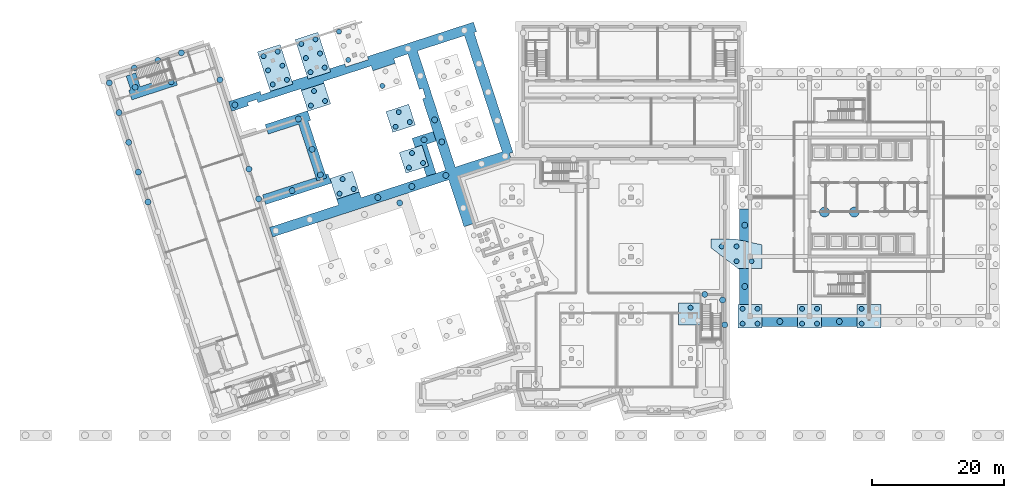
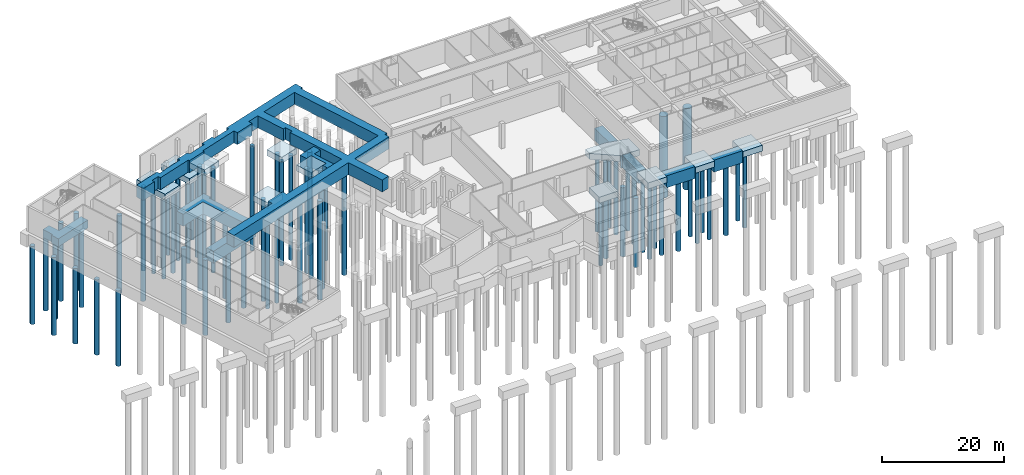
# One storey, part 3 of 17: 76 piles, 20 footings.
"""IFC4 building model written with IfcOpenShell, lengths in metres."""

import ifcopenshell
import ifcopenshell.guid

model = None  # the IFC model being written
_history = None  # IfcOwnerHistory: only IFC2X3 demands one
_inside = {}  # id of a spatial element -> (the spatial element, [elements in it])
_under = {}  # id of a project, library or spatial element -> (it, [spatial elements below it])
_declared = {}  # id of a project -> (the project, [libraries it declares])
_typed = {}  # id of a type object -> (the type object, [elements of that type])
_made_of = {}  # id of a material, layer set ... -> (it, [elements and type objects made of it])


def new_model(schema):
    """Start an empty IFC model of exactly this schema.

    Asked for "IFC4X3", IfcOpenShell would pick the latest addendum, in which some entities
    have other attributes; the version numbers below select the first issue.
    IFC2X3 requires an IfcOwnerHistory on every rooted entity: one is made here for all.
    """
    global model, _history
    if schema == "IFC4X3":
        model = ifcopenshell.file(schema_version=(4, 3, 0, 0))
    else:
        model = ifcopenshell.file(schema=schema)
    _inside.clear()
    _under.clear()
    _declared.clear()
    _typed.clear()
    _made_of.clear()
    _history = None
    if model.schema == "IFC2X3":
        org = make("IfcOrganization", Name="unknown")
        user = make(
            "IfcPersonAndOrganization",
            ThePerson=make("IfcPerson", FamilyName="unknown"),
            TheOrganization=org,
        )
        app = make(
            "IfcApplication",
            ApplicationDeveloper=org,
            Version="unknown",
            ApplicationFullName="unknown",
            ApplicationIdentifier="unknown",
        )
        _history = make(
            "IfcOwnerHistory",
            OwningUser=user,
            OwningApplication=app,
            ChangeAction="ADDED",
            CreationDate=0,
        )
    return model


def make(cls, **values):
    """One entity of the class cls with the attributes given. An attribute that is None is left unset."""
    return model.create_entity(
        cls, **{name: value for name, value in values.items() if value is not None}
    )


def rooted(cls, **values):
    """An entity with a GlobalId (a new one), such as an element, a storey or a relation."""
    return make(cls, GlobalId=ifcopenshell.guid.new(), OwnerHistory=_history, **values)


def si_unit(unit_type, name, prefix=None):
    """IfcSIUnit, for example si_unit("LENGTHUNIT", "METRE", prefix="MILLI")."""
    return make("IfcSIUnit", UnitType=unit_type, Prefix=prefix, Name=name)


def assignment(units):
    """IfcUnitAssignment: the units of a project."""
    return None if units is None else make("IfcUnitAssignment", Units=units)


def point(xyz):
    """IfcCartesianPoint."""
    return None if xyz is None else make("IfcCartesianPoint", Coordinates=xyz)


def direction(xyz):
    """IfcDirection."""
    return None if xyz is None else make("IfcDirection", DirectionRatios=xyz)


def frame(location, z_axis=None, x_axis=None):
    """IfcAxis2Placement3D, a coordinate frame: its origin and axes. An axis left out is left unset."""
    return make(
        "IfcAxis2Placement3D",
        Location=point(location),
        Axis=direction(z_axis),
        RefDirection=direction(x_axis),
    )


def frame_2d(location, x_axis=None):
    """IfcAxis2Placement2D, a coordinate frame in the plane: its origin and x axis."""
    return make(
        "IfcAxis2Placement2D", Location=point(location), RefDirection=direction(x_axis)
    )


def origin():
    """The frame at (0, 0, 0) with its axes left unset."""
    return frame((0.0, 0.0, 0.0))


def origin_2d():
    """The frame at (0, 0) in the plane with its x axis left unset."""
    return frame_2d((0.0, 0.0))


def place(relative_to, where):
    """IfcLocalPlacement: puts the frame where relative to a parent placement (None: the world)."""
    return make(
        "IfcLocalPlacement", PlacementRelTo=relative_to, RelativePlacement=where
    )


def context(
    kind, dimensions, precision=None, world=None, true_north=None, identifier=None
):
    """IfcGeometricRepresentationContext, for example the 3D "Model" context."""
    return make(
        "IfcGeometricRepresentationContext",
        ContextIdentifier=identifier,
        ContextType=kind,
        CoordinateSpaceDimension=dimensions,
        Precision=precision,
        WorldCoordinateSystem=world,
        TrueNorth=true_north,
    )


def subcontext(parent, identifier, kind, view, scale=None):
    """IfcGeometricRepresentationSubContext, for example "Body" below "Model"."""
    return make(
        "IfcGeometricRepresentationSubContext",
        ContextIdentifier=identifier,
        ContextType=kind,
        ParentContext=parent,
        TargetScale=scale,
        TargetView=view,
    )


def project(units=None, contexts=None):
    """IfcProject with its units and contexts."""
    return rooted(
        "IfcProject",
        Name="project",
        RepresentationContexts=contexts,
        UnitsInContext=assignment(units),
    )


def spatial(cls, under=None, at=None, **own):
    """A site, building, storey or space (cls), placed at a placement, below another one or the project."""
    s = rooted(cls, ObjectPlacement=at, **own)
    if under is not None:
        _under.setdefault(under.id(), (under, []))[1].append(s)
    return s


def polyline(points):
    """IfcPolyline through the points."""
    return make("IfcPolyline", Points=[point(p) for p in points])


def profile(cls, at=None, kind="AREA", **sizes):
    """A parametric profile (cls). Its sizes go by their IFC names, for example OverallWidth=200.0."""
    return make(cls, ProfileType=kind, Position=at, **sizes)


def rectangle(**sizes):
    """IfcRectangleProfileDef."""
    return profile("IfcRectangleProfileDef", **sizes)


def circle(**sizes):
    """IfcCircleProfileDef."""
    return profile("IfcCircleProfileDef", **sizes)


def outline(outer, holes=None, kind="AREA"):
    """IfcArbitraryClosedProfileDef: a profile drawn as a closed curve; with holes, ...WithVoids."""
    if holes is None:
        return make("IfcArbitraryClosedProfileDef", ProfileType=kind, OuterCurve=outer)
    return make(
        "IfcArbitraryProfileDefWithVoids",
        ProfileType=kind,
        OuterCurve=outer,
        InnerCurves=holes,
    )


def extrude(swept, where, along, depth):
    """IfcExtrudedAreaSolid: the profile swept, set in the frame where, extruded along a direction by depth."""
    return make(
        "IfcExtrudedAreaSolid",
        SweptArea=swept,
        Position=where,
        ExtrudedDirection=direction(along),
        Depth=depth,
    )


def shape(context_of_items, identifier, shape_type, items):
    """IfcShapeRepresentation: the items that make up one representation, for example the "Body"."""
    return make(
        "IfcShapeRepresentation",
        ContextOfItems=context_of_items,
        RepresentationIdentifier=identifier,
        RepresentationType=shape_type,
        Items=items,
    )


def material(Name=None, Category=None):
    """IfcMaterial."""
    return make("IfcMaterial", Name=Name, Category=Category)


def layer(
    of_material, thickness, ventilated=None, Name=None, Category=None, Priority=None
):
    """IfcMaterialLayer: one layer of a wall or slab, of a material (None: an air gap)."""
    return make(
        "IfcMaterialLayer",
        Material=of_material,
        LayerThickness=thickness,
        IsVentilated=ventilated,
        Name=Name,
        Category=Category,
        Priority=Priority,
    )


def layer_set(layers, Name=None):
    """IfcMaterialLayerSet."""
    return make("IfcMaterialLayerSet", MaterialLayers=layers, LayerSetName=Name)


def material_profile(
    of_material, cross_section, Name=None, Category=None, Priority=None
):
    """IfcMaterialProfile: a cross section and its material."""
    return make(
        "IfcMaterialProfile",
        Name=Name,
        Material=of_material,
        Profile=cross_section,
        Priority=Priority,
        Category=Category,
    )


def profile_set(profiles, Name=None, composite=None):
    """IfcMaterialProfileSet."""
    return make(
        "IfcMaterialProfileSet",
        Name=Name,
        MaterialProfiles=profiles,
        CompositeProfile=composite,
    )


def made_of(thing, what):
    """Note that an element or type object is made of a material, layer set ...; save() writes the relation."""
    if what is not None:
        _made_of.setdefault(what.id(), (what, []))[1].append(thing)
    return thing


def type_object(cls, material=None, **own):
    """A type object (cls), such as IfcWallType, which elements share."""
    return made_of(rooted(cls, **own), material)


def element(
    cls,
    number,
    at=None,
    inside=None,
    cuts=None,
    type_object=None,
    material=None,
    context=None,
    identifier="Body",
    shape_type=None,
    held_by="IfcProductDefinitionShape",
    body=None,
    shapes=None,
    **own,
):
    """One element of the class cls, such as IfcWall. Its Tag is "e" and its number.

    at: its placement. inside: the storey or other place that contains it. cuts: it is an
    opening in that element (IfcRelVoidsElement). A single representation is given by context,
    identifier, shape_type and body (its items); several are given by shapes. held_by: the class
    of the entity that holds the representations. save() writes the other relations.
    """
    e = rooted(cls, Tag="e%d" % number, ObjectPlacement=at, **own)
    if body is not None:
        shapes = [shape(context, identifier, shape_type, body)]
    if shapes is not None:
        e.Representation = make(held_by, Representations=shapes)
    if inside is not None:
        _inside.setdefault(inside.id(), (inside, []))[1].append(e)
    if cuts is not None:
        rooted(
            "IfcRelVoidsElement", RelatingBuildingElement=cuts, RelatedOpeningElement=e
        )
    if type_object is not None:
        _typed.setdefault(type_object.id(), (type_object, []))[1].append(e)
    return made_of(e, material)


def aggregate(whole, parts):
    """IfcRelAggregates: a whole, such as a stair, and the parts it consists of."""
    return rooted("IfcRelAggregates", RelatingObject=whole, RelatedObjects=parts)


def save(model, path):
    """Write the relations noted so far, then the file.

    IfcRelAggregates (storeys below a building ...), IfcRelContainedInSpatialStructure (elements
    in a storey), IfcRelDefinesByType, IfcRelAssociatesMaterial and IfcRelDeclares: one each for
    every whole, place, type object, material and project.
    """
    for whole, parts in _under.values():
        aggregate(whole, parts)
    for where, things in _inside.values():
        rooted(
            "IfcRelContainedInSpatialStructure",
            RelatedElements=things,
            RelatingStructure=where,
        )
    for kind, things in _typed.values():
        rooted("IfcRelDefinesByType", RelatedObjects=things, RelatingType=kind)
    for what, things in _made_of.values():
        rooted("IfcRelAssociatesMaterial", RelatedObjects=things, RelatingMaterial=what)
    for by, libraries in _declared.values():
        rooted("IfcRelDeclares", RelatingContext=by, RelatedDefinitions=libraries)
    model.write(path)


model = new_model("IFC4")

# Units and contexts
model_context = context("Model", 3, precision=1e-05, world=origin(), true_north=direction((0.0, 1.0)))
body_context = subcontext(model_context, "Body", "Model", "MODEL_VIEW")
ifc_project = project(units=[si_unit("LENGTHUNIT", "METRE"), si_unit("AREAUNIT", "SQUARE_METRE"), si_unit("VOLUMEUNIT", "CUBIC_METRE"), si_unit("PLANEANGLEUNIT", "RADIAN"), si_unit("MASSUNIT", "GRAM", prefix="KILO")], contexts=[model_context])

# Site, building, storey
site_placement = place(None, origin())
site = spatial("IfcSite", under=ifc_project, at=site_placement, CompositionType="ELEMENT")
building_placement = place(site_placement, origin())
building = spatial("IfcBuilding", under=site, at=building_placement, Name="Tuart Plaza Theatre", CompositionType="ELEMENT")
storey_placement = place(building_placement, frame((0.0, 0.0, -10.0)))
storey = spatial("IfcBuildingStorey", under=building, at=storey_placement, Name="B2", CompositionType="ELEMENT", Elevation=-10.0)

# Footings
ifc_material_1 = material(Name="Concrete N40 (40 MPa)", Category="concrete")
footing_type_1 = type_object("IfcFootingType", Name="CAP-1P-D900-5400X1520X2400", PredefinedType="PILE_CAP", material=ifc_material_1)
for number, where, z_axis, x_axis, name in (
    (1, (118.5, 55.199951171875, -3.199951171875), (0.0, 0.0, 1.0), (1.0, 0.0, 0.0), "D-CAP-118"),
    (2, (127.5, 55.199951171875, -3.199951171875), (0.0, 0.0, 1.0), (1.0, 0.0, 0.0), "D-CAP-120"),
):
    element("IfcFooting", number, at=place(storey_placement, frame(where, z_axis=z_axis, x_axis=x_axis)), inside=storey, type_object=footing_type_1, Name=name, PredefinedType="PILE_CAP", context=body_context, shape_type="SweptSolid", body=[
        extrude(rectangle(XDim=5.39990234375, YDim=1.52001953125, at=origin_2d()), origin(), (0.0, 0.0, 1.0), 2.39990234375),
    ])
ifc_material_2 = material(Name="Concrete N40 (40 MPa)", Category="concrete")
footing_type_2 = type_object("IfcFootingType", Name="CAP-3P-D750-3600X3299X1200", PredefinedType="PILE_CAP", material=ifc_material_2)
for number, where, z_axis, x_axis, name in (
    (3, (48.357666015625, 89.12353515625, 3.4501953125), (0.0, 0.0, 1.0), (0.951056516295, 0.309016994375, 0.0), "D-CAP-013"),
    (4, (52.683837890625, 75.808837890625, 3.4501953125), (0.0, 0.0, 1.0), (0.951056516295, 0.309016994375, 0.0), "D-CAP-017"),
    (5, (61.172607421875, 85.92724609375, 3.4501953125), (0.0, 0.0, 1.0), (0.951056516295, 0.309016994375, 0.0), "D-CAP-024"),
    (6, (63.18115234375, 79.745361328125, 3.4501953125), (0.0, 0.0, 1.0), (0.951056516295, 0.309016994375, 0.0), "D-CAP-026"),
    (7, (105.0, 56.32470703125, -2.0), (0.0, 0.0, 1.0), (1.0, 0.0, 0.0), "D-CAP-061"),
):
    element("IfcFooting", number, at=place(storey_placement, frame(where, z_axis=z_axis, x_axis=x_axis)), inside=storey, type_object=footing_type_2, Name=name, PredefinedType="PILE_CAP", context=body_context, shape_type="SweptSolid", body=[
        extrude(rectangle(XDim=3.60009765625, YDim=3.299072265625, at=origin_2d()), origin(), (0.0, 0.0, 1.0), 1.199951171875),
    ])
ifc_material_3 = material(Name="Concrete N40 (40 MPa)", Category="concrete")
footing_type_3 = type_object("IfcFootingType", Name="CAP-4P-D750-3600X3600X1200", PredefinedType="PILE_CAP", material=ifc_material_3)
for number, where, z_axis, x_axis, name in (
    (8, (114.0, 56.0, -2.0), (0.0, 0.0, 1.0), (0.0, 1.0, 0.0), "D-CAP-066"),
    (9, (123.0, 56.0, -2.0), (0.0, 0.0, 1.0), (0.0, 1.0, 0.0), "D-CAP-072"),
    (10, (132.0, 56.0, -2.0), (0.0, 0.0, 1.0), (1.0, 0.0, 0.0), "D-CAP-078"),
):
    element("IfcFooting", number, at=place(storey_placement, frame(where, z_axis=z_axis, x_axis=x_axis)), inside=storey, type_object=footing_type_3, Name=name, PredefinedType="PILE_CAP", context=body_context, shape_type="SweptSolid", body=[
        extrude(rectangle(XDim=3.60009765625, YDim=3.60009765625, at=origin_2d()), origin(), (0.0, 0.0, 1.0), 1.199951171875),
    ])
ifc_material_4 = material(Name="Concrete N40 (40 MPa)", Category="concrete")
footing_type_4 = type_object("IfcFootingType", Name="CAP-6P-D750-6299X3600X1200", PredefinedType="PILE_CAP", material=ifc_material_4)
for number, where, z_axis, x_axis, name in (
    (11, (42.19287109375, 93.534423828125, -1.2001953125), (0.0, 0.0, 1.0), (-0.309016994375, 0.951056516295, 0.0), "D-CAP-011"),
    (12, (47.899169921875, 95.388671875, -1.2001953125), (0.0, 0.0, 1.0), (-0.309016994375, 0.951056516295, 0.0), "D-CAP-012"),
):
    element("IfcFooting", number, at=place(storey_placement, frame(where, z_axis=z_axis, x_axis=x_axis)), inside=storey, type_object=footing_type_4, Name=name, PredefinedType="PILE_CAP", context=body_context, shape_type="SweptSolid", body=[
        extrude(rectangle(XDim=6.299072265625, YDim=3.60009765625, at=origin_2d()), origin(), (0.0, 0.0, 1.0), 1.199951171875),
    ])
ifc_material_5 = material(Name="Concrete N40 (40 MPa)", Category="concrete")
ifc_layer_1 = layer(ifc_material_5, 1.199951171875)
ifc_layer_set_1 = layer_set([ifc_layer_1], Name="CAP-STRIP-D750-T1200")
footing_type_5 = type_object("IfcFootingType", Name="CAP-STRIP-D750-T1200", PredefinedType="PILE_CAP", material=ifc_layer_set_1)
footing_1_placement = place(storey_placement, frame((0.0, 0.0, -2.0)))
element("IfcFooting", 13, at=footing_1_placement, inside=storey, type_object=footing_type_5, Name="D-CAP-063", PredefinedType="PILE_CAP", context=body_context, shape_type="SweptSolid", body=[
    extrude(outline(polyline([(112.199951171875, 63.199951171875), (108.110107421875, 66.324951171875), (108.110107421875, 67.675048828125), (111.7099609375, 67.675048828125), (115.800048828125, 66.800048828125), (115.800048828125, 63.199951171875), (112.199951171875, 63.199951171875)])), origin(), (0.0, 0.0, 1.0), 1.199951171875),
])
ifc_material_6 = material(Name="Concrete N40 (40 MPa)", Category="concrete")
ifc_layer_2 = layer(ifc_material_6, 1.60009765625)
ifc_layer_set_2 = layer_set([ifc_layer_2], Name="CAP-STRIP-D900-T1600")
footing_type_6 = type_object("IfcFootingType", Name="CAP-STRIP-D900-T1600", PredefinedType="PILE_CAP", material=ifc_layer_set_2)
footing_2_placement = place(storey_placement, frame((0.0, 0.0, -2.39990234375)))
element("IfcFooting", 14, at=footing_2_placement, inside=storey, type_object=footing_type_6, Name="D-CAP-092", PredefinedType="PILE_CAP", context=body_context, shape_type="SweptSolid", body=[
    extrude(outline(polyline([(20.04150390625, 90.159423828125), (20.511474609375, 88.7138671875), (27.416015625, 90.957275390625), (26.9462890625, 92.40283203125), (21.772705078125, 90.721923828125), (21.098876953125, 92.795166015625), (19.6533203125, 92.325439453125), (20.326904296875, 90.252197265625), (20.04150390625, 90.159423828125)])), origin(), (0.0, 0.0, 1.0), 1.599853515625),
])
ifc_material_7 = material(Name="Concrete N40 (40 MPa)", Category="concrete")
ifc_layer_3 = layer(ifc_material_7, 2.39990234375)
ifc_layer_set_3 = layer_set([ifc_layer_3], Name="CAP-STRIP-D900-T2400")
footing_type_7 = type_object("IfcFootingType", Name="CAP-STRIP-D900-T2400", PredefinedType="PILE_CAP", material=ifc_layer_set_3)
footing_3_placement = place(storey_placement, frame((0.0, 0.0, -3.199951171875)))
element("IfcFooting", 15, at=footing_3_placement, inside=storey, type_object=footing_type_7, Name="D-CAP-099", PredefinedType="PILE_CAP", context=body_context, shape_type="SweptSolid", body=[
    extrude(outline(polyline([(50.689208984375, 76.123046875), (50.462158203125, 76.8212890625), (50.42431640625, 76.80908203125), (50.181396484375, 77.556396484375), (49.801025390625, 77.4326171875), (49.97412109375, 76.900146484375), (48.5283203125, 76.430419921875), (48.355224609375, 76.962890625), (40.290283203125, 74.342529296875), (40.760009765625, 72.89697265625), (50.689208984375, 76.123046875)])), origin(), (0.0, 0.0, 1.0), 2.39990234375),
])
footing_4_placement = place(storey_placement, frame((0.0, 0.0, -2.39990234375)))
element("IfcFooting", 16, at=footing_4_placement, inside=storey, type_object=footing_type_7, Name="D-CAP-100", PredefinedType="PILE_CAP", context=body_context, shape_type="SweptSolid", body=[
    extrude(outline(polyline([(45.73486328125, 85.02783203125), (48.5283203125, 76.430419921875), (49.97412109375, 76.900146484375), (47.180419921875, 85.497802734375), (47.560791015625, 85.621337890625), (47.09130859375, 87.06689453125), (40.671630859375, 84.98095703125), (41.141357421875, 83.535400390625), (45.73486328125, 85.02783203125)])), origin(), (0.0, 0.0, 1.0), 2.39990234375),
])
footing_5_placement = place(storey_placement, frame((0.0, 0.0, 2.60009765625)))
element("IfcFooting", 17, at=footing_5_placement, inside=storey, type_object=footing_type_7, Name="D-CAP-102", PredefinedType="PILE_CAP", context=body_context, shape_type="SweptSolid", body=[
    extrude(outline(polyline([(41.4697265625, 89.93505859375), (40.081298828125, 89.48388671875), (39.916015625, 89.992919921875), (35.1416015625, 88.44140625), (35.611328125, 86.995849609375), (38.150634765625, 87.821044921875), (37.991455078125, 88.310791015625), (39.43701171875, 88.780517578125), (39.59619140625, 88.290771484375), (46.053955078125, 90.388916015625), (46.135986328125, 90.13623046875), (49.559814453125, 91.24853515625), (49.477783203125, 91.50146484375), (56.705810546875, 93.849853515625), (56.9423828125, 93.12158203125), (60.3662109375, 94.234130859375), (60.12939453125, 94.96240234375), (62.260009765625, 95.654541015625), (63.99951171875, 90.300048828125), (64.489501953125, 90.459228515625), (64.958984375, 89.013671875), (64.46923828125, 88.8544921875), (67.970458984375, 78.0791015625), (55.188232421875, 73.92578125), (54.905517578125, 74.79638671875), (51.481689453125, 73.683837890625), (51.764404296875, 72.8134765625), (41.32666015625, 69.421875), (41.79638671875, 67.976318359375), (68.440185546875, 76.63330078125), (70.747314453125, 69.533203125), (72.19287109375, 70.002685546875), (69.8857421875, 77.10302734375), (77.91259765625, 79.711181640625), (77.6162109375, 80.624267578125), (78.148681640625, 80.79736328125), (72.264892578125, 98.905517578125), (72.6455078125, 99.029052734375), (72.17578125, 100.474609375), (56.140869140625, 95.2646484375), (56.290771484375, 94.8037109375), (52.866943359375, 93.691162109375), (52.717041015625, 94.152099609375), (50.4345703125, 93.410400390625), (50.584228515625, 92.949462890625), (47.160400390625, 91.8369140625), (47.0107421875, 92.298095703125), (44.728271484375, 91.556396484375), (44.8779296875, 91.095458984375), (41.4541015625, 89.98291015625), (41.4697265625, 89.93505859375)]), holes=[polyline([(69.416015625, 78.548583984375), (76.530029296875, 80.860107421875), (70.8193359375, 98.435791015625), (63.70556640625, 96.124267578125), (69.416015625, 78.548583984375)])]), origin(), (0.0, 0.0, 1.0), 2.39990234375),
])
footing_6_placement = place(storey_placement, frame((0.0, 0.0, 2.25)))
element("IfcFooting", 18, at=footing_6_placement, inside=storey, type_object=footing_type_7, Name="D-CAP-104", PredefinedType="PILE_CAP", context=body_context, shape_type="SweptSolid", body=[
    extrude(outline(polyline([(64.38330078125, 81.870361328125), (65.40283203125, 78.73291015625), (64.63232421875, 78.482421875), (65.06982421875, 77.136474609375), (66.515380859375, 77.606201171875), (65.084716796875, 82.009521484375), (66.539794921875, 82.482421875), (66.070068359375, 83.927978515625), (62.884033203125, 82.892822265625), (63.32763671875, 81.52734375), (64.38330078125, 81.870361328125)])), origin(), (0.0, 0.0, 1.0), 2.39990234375),
])
footing_7_placement = place(storey_placement, frame((0.0, 0.0, -3.199951171875)))
element("IfcFooting", 19, at=footing_7_placement, inside=storey, type_object=footing_type_7, Name="D-CAP-116", PredefinedType="PILE_CAP", context=body_context, shape_type="SweptSolid", body=[
    extrude(outline(polyline([(112.43994140625, 63.0166015625), (112.43994140625, 57.800048828125), (113.9599609375, 57.800048828125), (113.9599609375, 63.199951171875), (112.199951171875, 63.199951171875), (112.43994140625, 63.0166015625)])), origin(), (0.0, 0.0, 1.0), 2.39990234375),
])
footing_8_placement = place(storey_placement, frame((0.0, 0.0, -3.199951171875)))
element("IfcFooting", 20, at=footing_8_placement, inside=storey, type_object=footing_type_7, Name="D-CAP-117", PredefinedType="PILE_CAP", context=body_context, shape_type="SweptSolid", body=[
    extrude(outline(polyline([(113.9599609375, 72.199951171875), (112.43994140625, 72.199951171875), (112.43994140625, 67.518798828125), (113.9599609375, 67.193603515625), (113.9599609375, 72.199951171875)])), origin(), (0.0, 0.0, 1.0), 2.39990234375),
])

# Piles
ifc_material_8 = material(Name="Concrete N40 (40 MPa)", Category="concrete")
ifc_material_profile_1 = material_profile(ifc_material_8, circle(Radius=0.75, at=origin_2d()), Name="PILE-BORED-D1500")
ifc_profile_set_1 = profile_set([ifc_material_profile_1], Name="Concrete N40 (40 MPa)")
pile_type_1 = type_object("IfcPileType", Name="PILE-BORED-D1500", PredefinedType="BORED", material=ifc_profile_set_1)
for number, where, z_axis, x_axis, name in (
    (21, (129.75, 71.75, -2.199951171875), (0.0, 0.0, -1.0), (1.0, 0.0, 0.0), "D-PIL-C-raft-03"),
    (22, (125.25, 71.75, -2.199951171875), (0.0, 0.0, -1.0), (1.0, 0.0, 0.0), "D-PIL-C-raft-04"),
):
    element("IfcPile", number, at=place(storey_placement, frame(where, z_axis=z_axis, x_axis=x_axis)), inside=storey, type_object=pile_type_1, Name=name, PredefinedType="BORED", context=body_context, shape_type="SweptSolid", body=[
        extrude(circle(Radius=0.75, at=origin_2d()), origin(), (0.0, 0.0, 1.0), 16.300048828125),
    ])
ifc_material_9 = material(Name="Concrete N40 (40 MPa)", Category="concrete")
ifc_material_profile_2 = material_profile(ifc_material_9, circle(Radius=0.375, at=origin_2d()), Name="PILE-BORED-D750")
ifc_profile_set_2 = profile_set([ifc_material_profile_2], Name="Concrete N40 (40 MPa)")
pile_type_2 = type_object("IfcPileType", Name="PILE-BORED-D750", PredefinedType="BORED", material=ifc_profile_set_2)
for number, where, z_axis, x_axis, name in (
    (23, (41.818603515625, 91.049560546875, -1.199951171875), (0.0, 0.0, -1.0), (1.0, 0.0, 0.0), "D-PIL-011-01"),
    (24, (41.1240234375, 93.187255859375, -1.199951171875), (0.0, 0.0, -1.0), (1.0, 0.0, 0.0), "D-PIL-011-02"),
):
    element("IfcPile", number, at=place(storey_placement, frame(where, z_axis=z_axis, x_axis=x_axis)), inside=storey, type_object=pile_type_2, Name=name, PredefinedType="BORED", context=body_context, shape_type="SweptSolid", body=[
        extrude(circle(Radius=0.375, at=origin_2d()), origin(), (0.0, 0.0, 1.0), 16.300048828125),
    ])
pile_1_placement = place(storey_placement, frame((40.429443359375, 95.324951171875, -1.199951171875), z_axis=(0.0, 0.0, -1.0), x_axis=(1.0, 0.0, 0.0)))
element("IfcPile", 25, at=pile_1_placement, inside=storey, type_object=pile_type_2, Name="D-PIL-011-03", PredefinedType="BORED", context=body_context, shape_type="SweptSolid", body=[
    extrude(circle(Radius=0.375, at=origin_2d()), origin(), (0.0, 0.0, 1.0), 16.800048828125),
])
for number, where, z_axis, x_axis, name in (
    (26, (43.956298828125, 91.744140625, -1.199951171875), (0.0, 0.0, -1.0), (1.0, 0.0, 0.0), "D-PIL-011-04"),
    (27, (43.26171875, 93.8818359375, -1.199951171875), (0.0, 0.0, -1.0), (1.0, 0.0, 0.0), "D-PIL-011-05"),
):
    element("IfcPile", number, at=place(storey_placement, frame(where, z_axis=z_axis, x_axis=x_axis)), inside=storey, type_object=pile_type_2, Name=name, PredefinedType="BORED", context=body_context, shape_type="SweptSolid", body=[
        extrude(circle(Radius=0.375, at=origin_2d()), origin(), (0.0, 0.0, 1.0), 16.300048828125),
    ])
pile_2_placement = place(storey_placement, frame((42.567138671875, 96.01953125, -1.199951171875), z_axis=(0.0, 0.0, -1.0), x_axis=(1.0, 0.0, 0.0)))
element("IfcPile", 28, at=pile_2_placement, inside=storey, type_object=pile_type_2, Name="D-PIL-011-06", PredefinedType="BORED", context=body_context, shape_type="SweptSolid", body=[
    extrude(circle(Radius=0.375, at=origin_2d()), origin(), (0.0, 0.0, 1.0), 16.800048828125),
])
pile_3_placement = place(storey_placement, frame((47.52490234375, 92.903564453125, -1.199951171875), z_axis=(0.0, 0.0, -1.0), x_axis=(1.0, 0.0, 0.0)))
element("IfcPile", 29, at=pile_3_placement, inside=storey, type_object=pile_type_2, Name="D-PIL-012-01", PredefinedType="BORED", context=body_context, shape_type="SweptSolid", body=[
    extrude(circle(Radius=0.375, at=origin_2d()), origin(), (0.0, 0.0, 1.0), 16.300048828125),
])
for number, where, z_axis, x_axis, name in (
    (30, (46.830322265625, 95.041259765625, -1.199951171875), (0.0, 0.0, -1.0), (1.0, 0.0, 0.0), "D-PIL-012-02"),
    (31, (46.1357421875, 97.178955078125, -1.199951171875), (0.0, 0.0, -1.0), (1.0, 0.0, 0.0), "D-PIL-012-03"),
):
    element("IfcPile", number, at=place(storey_placement, frame(where, z_axis=z_axis, x_axis=x_axis)), inside=storey, type_object=pile_type_2, Name=name, PredefinedType="BORED", context=body_context, shape_type="SweptSolid", body=[
        extrude(circle(Radius=0.375, at=origin_2d()), origin(), (0.0, 0.0, 1.0), 16.800048828125),
    ])
pile_4_placement = place(storey_placement, frame((49.66259765625, 93.59814453125, -1.199951171875), z_axis=(0.0, 0.0, -1.0), x_axis=(1.0, 0.0, 0.0)))
element("IfcPile", 32, at=pile_4_placement, inside=storey, type_object=pile_type_2, Name="D-PIL-012-04", PredefinedType="BORED", context=body_context, shape_type="SweptSolid", body=[
    extrude(circle(Radius=0.375, at=origin_2d()), origin(), (0.0, 0.0, 1.0), 16.300048828125),
])
for number, where, z_axis, x_axis, name in (
    (33, (48.968017578125, 95.73583984375, -1.199951171875), (0.0, 0.0, -1.0), (1.0, 0.0, 0.0), "D-PIL-012-05"),
    (34, (48.2734375, 97.87353515625, -1.199951171875), (0.0, 0.0, -1.0), (1.0, 0.0, 0.0), "D-PIL-012-06"),
):
    element("IfcPile", number, at=place(storey_placement, frame(where, z_axis=z_axis, x_axis=x_axis)), inside=storey, type_object=pile_type_2, Name=name, PredefinedType="BORED", context=body_context, shape_type="SweptSolid", body=[
        extrude(circle(Radius=0.375, at=origin_2d()), origin(), (0.0, 0.0, 1.0), 16.800048828125),
    ])
for number, where, z_axis, x_axis, name in (
    (35, (47.588623046875, 87.849365234375, 3.449951171875), (0.0, 0.0, -1.0), (1.0, 0.0, 0.0), "D-PIL-013-01"),
    (36, (49.728515625, 88.544677734375, 3.449951171875), (0.0, 0.0, -1.0), (1.0, 0.0, 0.0), "D-PIL-013-02"),
    (37, (48.056396484375, 90.05029296875, 3.449951171875), (0.0, 0.0, -1.0), (1.0, 0.0, 0.0), "D-PIL-013-03"),
):
    element("IfcPile", number, at=place(storey_placement, frame(where, z_axis=z_axis, x_axis=x_axis)), inside=storey, type_object=pile_type_2, Name=name, PredefinedType="BORED", context=body_context, shape_type="SweptSolid", body=[
        extrude(circle(Radius=0.375, at=origin_2d()), origin(), (0.0, 0.0, 1.0), 20.949951171875),
    ])
for number, where, z_axis, x_axis, name in (
    (38, (51.9150390625, 74.53466796875, 3.449951171875), (0.0, 0.0, -1.0), (1.0, 0.0, 0.0), "D-PIL-017-01"),
    (39, (54.054931640625, 75.22998046875, 3.449951171875), (0.0, 0.0, -1.0), (1.0, 0.0, 0.0), "D-PIL-017-02"),
    (40, (52.3828125, 76.7353515625, 3.449951171875), (0.0, 0.0, -1.0), (1.0, 0.0, 0.0), "D-PIL-017-03"),
):
    element("IfcPile", number, at=place(storey_placement, frame(where, z_axis=z_axis, x_axis=x_axis)), inside=storey, type_object=pile_type_2, Name=name, PredefinedType="BORED", context=body_context, shape_type="SweptSolid", body=[
        extrude(circle(Radius=0.375, at=origin_2d()), origin(), (0.0, 0.0, 1.0), 20.449951171875),
    ])
for number, where, z_axis, x_axis, name in (
    (41, (53.231201171875, 94.7578125, -1.199951171875), (0.0, 0.0, -1.0), (1.0, 0.0, 0.0), "D-PIL-018-01"),
    (42, (51.842041015625, 99.033203125, -1.199951171875), (0.0, 0.0, -1.0), (1.0, 0.0, 0.0), "D-PIL-018-03"),
):
    element("IfcPile", number, at=place(storey_placement, frame(where, z_axis=z_axis, x_axis=x_axis)), inside=storey, type_object=pile_type_2, Name=name, PredefinedType="BORED", context=body_context, shape_type="SweptSolid", body=[
        extrude(circle(Radius=0.375, at=origin_2d()), origin(), (0.0, 0.0, 1.0), 16.800048828125),
    ])
for number, where, z_axis, x_axis, name in (
    (43, (58.39501953125, 90.8349609375, 3.449951171875), (0.0, 0.0, -1.0), (1.0, 0.0, 0.0), "D-PIL-021-01"),
    (44, (60.40380859375, 84.653076171875, 3.449951171875), (0.0, 0.0, -1.0), (1.0, 0.0, 0.0), "D-PIL-024-01"),
    (45, (62.543701171875, 85.348388671875, 3.449951171875), (0.0, 0.0, -1.0), (1.0, 0.0, 0.0), "D-PIL-024-02"),
    (46, (60.87158203125, 86.853759765625, 3.449951171875), (0.0, 0.0, -1.0), (1.0, 0.0, 0.0), "D-PIL-024-03"),
):
    element("IfcPile", number, at=place(storey_placement, frame(where, z_axis=z_axis, x_axis=x_axis)), inside=storey, type_object=pile_type_2, Name=name, PredefinedType="BORED", context=body_context, shape_type="SweptSolid", body=[
        extrude(circle(Radius=0.375, at=origin_2d()), origin(), (0.0, 0.0, 1.0), 20.949951171875),
    ])
pile_5_placement = place(storey_placement, frame((62.412353515625, 78.47119140625, 3.449951171875), z_axis=(0.0, 0.0, -1.0), x_axis=(1.0, 0.0, 0.0)))
element("IfcPile", 47, at=pile_5_placement, inside=storey, type_object=pile_type_2, Name="D-PIL-026-01", PredefinedType="BORED", context=body_context, shape_type="SweptSolid", body=[
    extrude(circle(Radius=0.375, at=origin_2d()), origin(), (0.0, 0.0, 1.0), 20.449951171875),
])
for number, where, z_axis, x_axis, name in (
    (48, (64.55224609375, 79.16650390625, 3.449951171875), (0.0, 0.0, -1.0), (1.0, 0.0, 0.0), "D-PIL-026-02"),
    (49, (62.880126953125, 80.672119140625, 3.449951171875), (0.0, 0.0, -1.0), (1.0, 0.0, 0.0), "D-PIL-026-03"),
):
    element("IfcPile", number, at=place(storey_placement, frame(where, z_axis=z_axis, x_axis=x_axis)), inside=storey, type_object=pile_type_2, Name=name, PredefinedType="BORED", context=body_context, shape_type="SweptSolid", body=[
        extrude(circle(Radius=0.375, at=origin_2d()), origin(), (0.0, 0.0, 1.0), 20.949951171875),
    ])
pile_6_placement = place(storey_placement, frame((105.0, 57.299072265625, -2.0), z_axis=(0.0, 0.0, -1.0), x_axis=(1.0, 0.0, 0.0)))
element("IfcPile", 50, at=pile_6_placement, inside=storey, type_object=pile_type_2, Name="D-PIL-061-03", PredefinedType="BORED", context=body_context, shape_type="SweptSolid", body=[
    extrude(circle(Radius=0.375, at=origin_2d()), origin(), (0.0, 0.0, 1.0), 14.5),
])
for number, where, z_axis, x_axis, name in (
    (51, (109.707275390625, 66.561279296875, -2.0), (0.0, 0.0, -1.0), (1.0, 0.0, 0.0), "D-PIL-063-01"),
    (52, (111.955078125, 64.313720703125, -2.0), (0.0, 0.0, -1.0), (1.0, 0.0, 0.0), "D-PIL-063-02"),
    (53, (111.955078125, 66.561279296875, -2.0), (0.0, 0.0, -1.0), (1.0, 0.0, 0.0), "D-PIL-063-03"),
    (54, (114.20263671875, 64.313720703125, -2.0), (0.0, 0.0, -1.0), (1.0, 0.0, 0.0), "D-PIL-063-04"),
):
    element("IfcPile", number, at=place(storey_placement, frame(where, z_axis=z_axis, x_axis=x_axis)), inside=storey, type_object=pile_type_2, Name=name, PredefinedType="BORED", context=body_context, shape_type="SweptSolid", body=[
        extrude(circle(Radius=0.375, at=origin_2d()), origin(), (0.0, 0.0, 1.0), 15.0),
    ])
for number, where, z_axis, x_axis, name in (
    (55, (112.875, 54.875, -2.0), (0.0, 0.0, -1.0), (1.0, 0.0, 0.0), "D-PIL-066-01"),
    (56, (112.875, 57.125, -2.0), (0.0, 0.0, -1.0), (1.0, 0.0, 0.0), "D-PIL-066-02"),
    (57, (115.125, 54.875, -2.0), (0.0, 0.0, -1.0), (1.0, 0.0, 0.0), "D-PIL-066-03"),
    (58, (115.125, 57.125, -2.0), (0.0, 0.0, -1.0), (1.0, 0.0, 0.0), "D-PIL-066-04"),
    (59, (121.875, 54.875, -2.0), (0.0, 0.0, -1.0), (1.0, 0.0, 0.0), "D-PIL-072-01"),
    (60, (121.875, 57.125, -2.0), (0.0, 0.0, -1.0), (1.0, 0.0, 0.0), "D-PIL-072-02"),
    (61, (124.125, 54.875, -2.0), (0.0, 0.0, -1.0), (1.0, 0.0, 0.0), "D-PIL-072-03"),
    (62, (124.125, 57.125, -2.0), (0.0, 0.0, -1.0), (1.0, 0.0, 0.0), "D-PIL-072-04"),
    (63, (130.875, 54.875, -2.0), (0.0, 0.0, -1.0), (1.0, 0.0, 0.0), "D-PIL-078-01"),
    (64, (130.875, 57.125, -2.0), (0.0, 0.0, -1.0), (1.0, 0.0, 0.0), "D-PIL-078-02"),
):
    element("IfcPile", number, at=place(storey_placement, frame(where, z_axis=z_axis, x_axis=x_axis)), inside=storey, type_object=pile_type_2, Name=name, PredefinedType="BORED", context=body_context, shape_type="SweptSolid", body=[
        extrude(circle(Radius=0.375, at=origin_2d()), origin(), (0.0, 0.0, 1.0), 14.5),
    ])
ifc_material_10 = material(Name="Concrete N40 (40 MPa)", Category="concrete")
ifc_material_profile_3 = material_profile(ifc_material_10, circle(Radius=0.449951171875, at=origin_2d()), Name="PILE-BORED-D900")
ifc_profile_set_3 = profile_set([ifc_material_profile_3], Name="Concrete N40 (40 MPa)")
pile_type_3 = type_object("IfcPileType", Name="PILE-BORED-D900", PredefinedType="BORED", material=ifc_profile_set_3)
for number, where, z_axis, x_axis, name in (
    (65, (21.006591796875, 90.6201171875, -2.39990234375), (0.0, 0.0, -1.0), (1.0, 0.0, 0.0), "D-PIL-092-01"),
    (66, (26.468017578125, 91.4482421875, -2.39990234375), (0.0, 0.0, -1.0), (1.0, 0.0, 0.0), "D-PIL-092-02"),
    (67, (17.106201171875, 91.298095703125, -2.39990234375), (0.0, 0.0, -1.0), (1.0, 0.0, 0.0), "D-PIL-093-01"),
    (68, (18.569580078125, 86.79345703125, -2.39990234375), (0.0, 0.0, -1.0), (1.0, 0.0, 0.0), "D-PIL-093-02"),
):
    element("IfcPile", number, at=place(storey_placement, frame(where, z_axis=z_axis, x_axis=x_axis)), inside=storey, type_object=pile_type_3, Name=name, PredefinedType="BORED", context=body_context, shape_type="SweptSolid", body=[
        extrude(circle(Radius=0.449951171875, at=origin_2d()), origin(), (0.0, 0.0, 1.0), 15.60009765625),
    ])
for number, where, z_axis, x_axis, name in (
    (69, (20.033447265625, 82.2890625, -2.39990234375), (0.0, 0.0, -1.0), (1.0, 0.0, 0.0), "D-PIL-093-03"),
    (70, (21.4970703125, 77.784423828125, -2.39990234375), (0.0, 0.0, -1.0), (1.0, 0.0, 0.0), "D-PIL-093-04"),
    (71, (22.960693359375, 73.27978515625, -2.39990234375), (0.0, 0.0, -1.0), (1.0, 0.0, 0.0), "D-PIL-093-05"),
):
    element("IfcPile", number, at=place(storey_placement, frame(where, z_axis=z_axis, x_axis=x_axis)), inside=storey, type_object=pile_type_3, Name=name, PredefinedType="BORED", context=body_context, shape_type="SweptSolid", body=[
        extrude(circle(Radius=0.449951171875, at=origin_2d()), origin(), (0.0, 0.0, 1.0), 15.10009765625),
    ])
for number, where, z_axis, x_axis, name in (
    (72, (27.99951171875, 95.83642578125, -2.39990234375), (0.0, 0.0, -1.0), (1.0, 0.0, 0.0), "D-PIL-093-13"),
    (73, (24.44482421875, 94.681396484375, -2.39990234375), (0.0, 0.0, -1.0), (1.0, 0.0, 0.0), "D-PIL-093-14"),
    (74, (20.89013671875, 93.526611328125, -2.39990234375), (0.0, 0.0, -1.0), (1.0, 0.0, 0.0), "D-PIL-093-15"),
):
    element("IfcPile", number, at=place(storey_placement, frame(where, z_axis=z_axis, x_axis=x_axis)), inside=storey, type_object=pile_type_3, Name=name, PredefinedType="BORED", context=body_context, shape_type="SweptSolid", body=[
        extrude(circle(Radius=0.449951171875, at=origin_2d()), origin(), (0.0, 0.0, 1.0), 15.60009765625),
    ])
for number, where, z_axis, x_axis, name in (
    (75, (39.688720703125, 73.735107421875, -2.39990234375), (0.0, 0.0, -1.0), (1.0, 0.0, 0.0), "D-PIL-093-21"),
    (76, (38.22509765625, 78.239501953125, -2.39990234375), (0.0, 0.0, -1.0), (1.0, 0.0, 0.0), "D-PIL-093-22"),
):
    element("IfcPile", number, at=place(storey_placement, frame(where, z_axis=z_axis, x_axis=x_axis)), inside=storey, type_object=pile_type_3, Name=name, PredefinedType="BORED", context=body_context, shape_type="SweptSolid", body=[
        extrude(circle(Radius=0.449951171875, at=origin_2d()), origin(), (0.0, 0.0, 1.0), 15.10009765625),
    ])
pile_7_placement = place(storey_placement, frame((33.834228515625, 91.753173828125, -2.39990234375), z_axis=(0.0, 0.0, -1.0), x_axis=(1.0, 0.0, 0.0)))
element("IfcPile", 77, at=pile_7_placement, inside=storey, type_object=pile_type_3, Name="D-PIL-093-23", PredefinedType="BORED", context=body_context, shape_type="SweptSolid", body=[
    extrude(circle(Radius=0.449951171875, at=origin_2d()), origin(), (0.0, 0.0, 1.0), 15.60009765625),
])
pile_8_placement = place(storey_placement, frame((44.747802734375, 74.99169921875, -3.199951171875), z_axis=(0.0, 0.0, -1.0), x_axis=(1.0, 0.0, 0.0)))
element("IfcPile", 78, at=pile_8_placement, inside=storey, type_object=pile_type_3, Name="D-PIL-099-01", PredefinedType="BORED", context=body_context, shape_type="SweptSolid", body=[
    extrude(circle(Radius=0.449951171875, at=origin_2d()), origin(), (0.0, 0.0, 1.0), 14.300048828125),
])
pile_9_placement = place(storey_placement, frame((45.69970703125, 85.815673828125, -2.39990234375), z_axis=(0.0, 0.0, -1.0), x_axis=(1.0, 0.0, 0.0)))
element("IfcPile", 79, at=pile_9_placement, inside=storey, type_object=pile_type_3, Name="D-PIL-100-01", PredefinedType="BORED", context=body_context, shape_type="SweptSolid", body=[
    extrude(circle(Radius=0.449951171875, at=origin_2d()), origin(), (0.0, 0.0, 1.0), 15.60009765625),
])
for number, where, z_axis, x_axis, name in (
    (80, (49.019287109375, 77.37841796875, -2.39990234375), (0.0, 0.0, -1.0), (1.0, 0.0, 0.0), "D-PIL-100-02"),
    (81, (47.767822265625, 81.230224609375, -2.39990234375), (0.0, 0.0, -1.0), (1.0, 0.0, 0.0), "D-PIL-100-03"),
):
    element("IfcPile", number, at=place(storey_placement, frame(where, z_axis=z_axis, x_axis=x_axis)), inside=storey, type_object=pile_type_3, Name=name, PredefinedType="BORED", context=body_context, shape_type="SweptSolid", body=[
        extrude(circle(Radius=0.449951171875, at=origin_2d()), origin(), (0.0, 0.0, 1.0), 15.10009765625),
    ])
pile_10_placement = place(storey_placement, frame((61.02001953125, 73.12890625, 2.25), z_axis=(0.0, 0.0, -1.0), x_axis=(1.0, 0.0, 0.0)))
element("IfcPile", 82, at=pile_10_placement, inside=storey, type_object=pile_type_3, Name="D-PIL-101-03", PredefinedType="BORED", context=body_context, shape_type="SweptSolid", body=[
    extrude(circle(Radius=0.449951171875, at=origin_2d()), origin(), (0.0, 0.0, 1.0), 19.75),
])
pile_11_placement = place(storey_placement, frame((36.089599609375, 87.950439453125, 2.60009765625), z_axis=(0.0, 0.0, -1.0), x_axis=(1.0, 0.0, 0.0)))
element("IfcPile", 83, at=pile_11_placement, inside=storey, type_object=pile_type_3, Name="D-PIL-102-01", PredefinedType="BORED", context=body_context, shape_type="SweptSolid", body=[
    extrude(circle(Radius=0.449951171875, at=origin_2d()), origin(), (0.0, 0.0, 1.0), 20.60009765625),
])
for number, where, z_axis, x_axis, name in (
    (84, (57.71044921875, 73.9462890625, 2.60009765625), (0.0, 0.0, -1.0), (1.0, 0.0, 0.0), "D-PIL-102-05"),
    (85, (62.855712890625, 75.617919921875, 2.60009765625), (0.0, 0.0, -1.0), (1.0, 0.0, 0.0), "D-PIL-102-06"),
    (86, (68.0009765625, 77.289794921875, 2.60009765625), (0.0, 0.0, -1.0), (1.0, 0.0, 0.0), "D-PIL-102-07"),
    (87, (67.378662109375, 82.3603515625, 2.60009765625), (0.0, 0.0, -1.0), (1.0, 0.0, 0.0), "D-PIL-102-16"),
):
    element("IfcPile", number, at=place(storey_placement, frame(where, z_axis=z_axis, x_axis=x_axis)), inside=storey, type_object=pile_type_3, Name=name, PredefinedType="BORED", context=body_context, shape_type="SweptSolid", body=[
        extrude(circle(Radius=0.449951171875, at=origin_2d()), origin(), (0.0, 0.0, 1.0), 20.10009765625),
    ])
pile_12_placement = place(storey_placement, frame((66.296142578125, 85.69140625, 2.60009765625), z_axis=(0.0, 0.0, -1.0), x_axis=(1.0, 0.0, 0.0)))
element("IfcPile", 88, at=pile_12_placement, inside=storey, type_object=pile_type_3, Name="D-PIL-102-17", PredefinedType="BORED", context=body_context, shape_type="SweptSolid", body=[
    extrude(circle(Radius=0.449951171875, at=origin_2d()), origin(), (0.0, 0.0, 1.0), 20.60009765625),
])
pile_13_placement = place(storey_placement, frame((64.697509765625, 82.68310546875, 2.25), z_axis=(0.0, 0.0, -1.0), x_axis=(1.0, 0.0, 0.0)))
element("IfcPile", 89, at=pile_13_placement, inside=storey, type_object=pile_type_3, Name="D-PIL-104-01", PredefinedType="BORED", context=body_context, shape_type="SweptSolid", body=[
    extrude(circle(Radius=0.449951171875, at=origin_2d()), origin(), (0.0, 0.0, 1.0), 19.75),
])
for number, where, z_axis, x_axis, name in (
    (90, (109.85009765625, 58.449951171875, -3.199951171875), (0.0, 0.0, -1.0), (1.0, 0.0, 0.0), "D-PIL-114-01"),
    (91, (107.14990234375, 59.300048828125, -3.199951171875), (0.0, 0.0, -1.0), (1.0, 0.0, 0.0), "D-PIL-114-02"),
    (92, (110.1630859375, 54.7060546875, -3.199951171875), (0.0, 0.0, -1.0), (1.0, 0.0, 0.0), "D-PIL-114-03"),
    (93, (113.199951171875, 60.5, -3.199951171875), (0.0, 0.0, -1.0), (1.0, 0.0, 0.0), "D-PIL-116-01"),
):
    element("IfcPile", number, at=place(storey_placement, frame(where, z_axis=z_axis, x_axis=x_axis)), inside=storey, type_object=pile_type_3, Name=name, PredefinedType="BORED", context=body_context, shape_type="SweptSolid", body=[
        extrude(circle(Radius=0.449951171875, at=origin_2d()), origin(), (0.0, 0.0, 1.0), 13.800048828125),
    ])
pile_14_placement = place(storey_placement, frame((113.199951171875, 69.760986328125, -3.199951171875), z_axis=(0.0, 0.0, -1.0), x_axis=(1.0, 0.0, 0.0)))
element("IfcPile", 94, at=pile_14_placement, inside=storey, type_object=pile_type_3, Name="D-PIL-117-01", PredefinedType="BORED", context=body_context, shape_type="SweptSolid", body=[
    extrude(circle(Radius=0.449951171875, at=origin_2d()), origin(), (0.0, 0.0, 1.0), 14.300048828125),
])
for number, where, z_axis, x_axis, name in (
    (95, (118.5, 55.199951171875, -3.199951171875), (0.0, 0.0, -1.0), (1.0, 0.0, 0.0), "D-PIL-118-01"),
    (96, (127.5, 55.199951171875, -3.199951171875), (0.0, 0.0, -1.0), (1.0, 0.0, 0.0), "D-PIL-120-01"),
):
    element("IfcPile", number, at=place(storey_placement, frame(where, z_axis=z_axis, x_axis=x_axis)), inside=storey, type_object=pile_type_3, Name=name, PredefinedType="BORED", context=body_context, shape_type="SweptSolid", body=[
        extrude(circle(Radius=0.449951171875, at=origin_2d()), origin(), (0.0, 0.0, 1.0), 13.800048828125),
    ])

save(model, "model.ifc")
